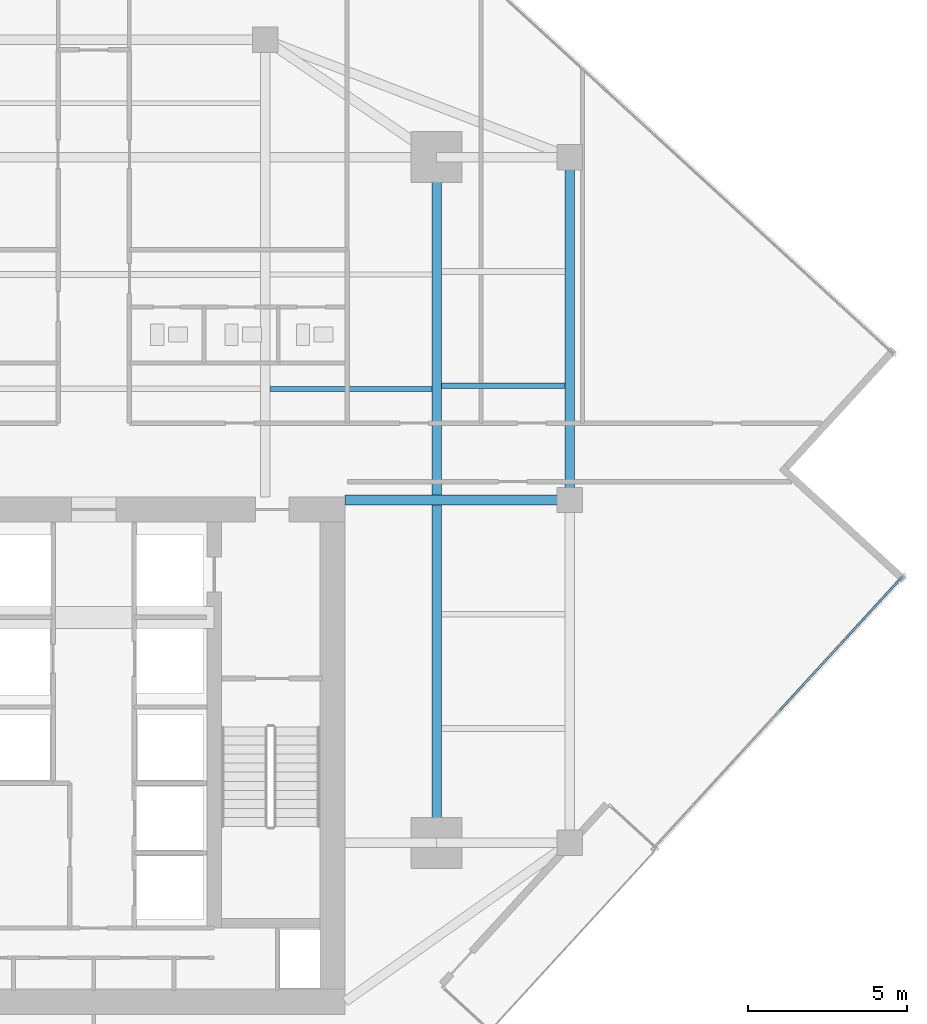
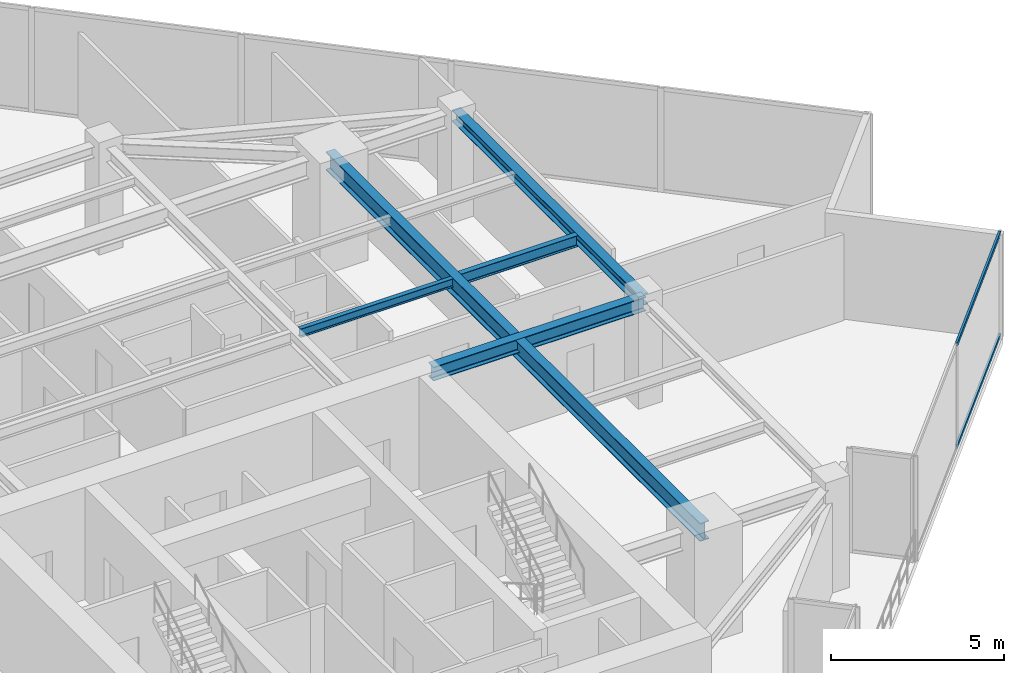
# One storey, part 12 of 26: 5 beams, 2 members, 1 element without a shape of its own.
"""IFC4 building model written with IfcOpenShell, lengths in metres."""

from ifc_helpers import new_model, si_unit, direction, frame, origin, origin_2d, place, context, subcontext, project, spatial, hollow_rectangle, i_section, extrude, source, transform, mapped, material, material_profile, profile_set, type_object, type_shapes, element, aggregate, save


model = new_model("IFC4")

# Units and contexts
model_context = context("Model", 3, precision=1e-05, world=origin(), true_north=direction((0.0, 1.0)))
body_context = subcontext(model_context, "Body", "Model", "MODEL_VIEW")
ifc_project = project(units=[si_unit("LENGTHUNIT", "METRE"), si_unit("AREAUNIT", "SQUARE_METRE"), si_unit("VOLUMEUNIT", "CUBIC_METRE"), si_unit("PLANEANGLEUNIT", "RADIAN"), si_unit("MASSUNIT", "GRAM", prefix="KILO")], contexts=[model_context])

# Site, building, storey
site_placement = place(None, origin())
site = spatial("IfcSite", under=ifc_project, at=site_placement, CompositionType="ELEMENT")
building_placement = place(site_placement, origin())
building = spatial("IfcBuilding", under=site, at=building_placement, Name="Krantzveldt Concourse Tower", CompositionType="ELEMENT")
storey_placement = place(building_placement, frame((0.0, 0.0, 223.10009765625)))
storey = spatial("IfcBuildingStorey", under=building, at=storey_placement, Name="L54", CompositionType="ELEMENT", Elevation=223.10009765625)

# Beams
ifc_material_1 = material(Name="Steel S355JR", Category="steel")
ifc_material_profile_1 = material_profile(ifc_material_1, i_section(OverallWidth=0.300048828125, OverallDepth=0.639892578125, WebThickness=0.013427734375, FlangeThickness=0.02587890625, FilletRadius=0.027099609375, at=origin_2d()), Name="Steel S355JR", Category="steel")
ifc_profile_set_1 = profile_set([ifc_material_profile_1], Name="Steel S355JR - HEA 650")
beam_type_1 = type_object("IfcBeamType", Name="BM-B-HEA650", PredefinedType="BEAM", material=ifc_profile_set_1)
shared_shape_1 = source(origin(), body_context, "Body", "SweptSolid", [
    extrude(i_section(OverallWidth=0.300048828125, OverallDepth=0.639892578125, WebThickness=0.013427734375, FlangeThickness=0.02587890625, FilletRadius=0.027099609375, at=origin_2d()), origin(), (0.0, 0.0, 1.0), 21.60009765625),
])
type_shapes(beam_type_1, [shared_shape_1])
beam_1_placement = place(storey_placement, frame((46.800048828125, 15.89990234375, 3.349853515625), z_axis=(0.0, 1.0, 0.0), x_axis=(-1.0, 0.0, 0.0)))
element("IfcBeam", 1, at=beam_1_placement, inside=storey, type_object=beam_type_1, Name="L54 Tower Girder BG-ME", PredefinedType="BEAM", context=body_context, shape_type="MappedRepresentation", body=[
    mapped(shared_shape_1, transform((0.0, 0.0, 0.0), x_axis=(1.0, 0.0, 0.0), y_axis=(0.0, 1.0, 0.0), z_axis=(0.0, 0.0, 1.0), scale=1.0)),
])
ifc_material_profile_2 = material_profile(ifc_material_1, i_section(OverallWidth=0.300048828125, OverallDepth=0.389892578125, WebThickness=0.010986328125, FlangeThickness=0.01904296875, FilletRadius=0.027099609375, at=origin_2d()), Name="Steel S355JR", Category="steel")
ifc_profile_set_2 = profile_set([ifc_material_profile_2], Name="Steel S355JR - HEA 400")
beam_type_2 = type_object("IfcBeamType", Name="BM-SP-HEA400", PredefinedType="SPANDREL", material=ifc_profile_set_2)
shared_shape_2 = source(origin(), body_context, "Body", "SweptSolid", [
    extrude(i_section(OverallWidth=0.300048828125, OverallDepth=0.389892578125, WebThickness=0.010986328125, FlangeThickness=0.01904296875, FilletRadius=0.027099609375, at=origin_2d()), origin(), (0.0, 0.0, 1.0), 10.800048828125),
])
type_shapes(beam_type_2, [shared_shape_2])
beam_2_placement = place(storey_placement, frame((51.0, 37.5, 3.474853515625), z_axis=(0.0, -1.0, 0.0), x_axis=(1.0, 0.0, 0.0)))
element("IfcBeam", 2, at=beam_2_placement, inside=storey, type_object=beam_type_2, Name="L54 Tower Girder SP-R06", PredefinedType="SPANDREL", context=body_context, shape_type="MappedRepresentation", body=[
    mapped(shared_shape_2, transform((0.0, 0.0, 0.0), x_axis=(1.0, 0.0, 0.0), y_axis=(0.0, 1.0, 0.0), z_axis=(0.0, 0.0, 1.0), scale=1.0)),
])
ifc_material_profile_3 = material_profile(ifc_material_1, i_section(OverallWidth=0.300048828125, OverallDepth=0.489990234375, WebThickness=0.011962890625, FlangeThickness=0.02294921875, FilletRadius=0.027099609375, at=origin_2d()), Name="Steel S355JR", Category="steel")
ifc_profile_set_3 = profile_set([ifc_material_profile_3], Name="Steel S355JR - HEA 500")
beam_type_3 = type_object("IfcBeamType", Name="BM-B-HEA500", PredefinedType="BEAM", material=ifc_profile_set_3)
shared_shape_3 = source(origin(), body_context, "Body", "SweptSolid", [
    extrude(i_section(OverallWidth=0.300048828125, OverallDepth=0.489990234375, WebThickness=0.011962890625, FlangeThickness=0.02294921875, FilletRadius=0.027099609375, at=origin_2d()), origin(), (0.0, 0.0, 1.0), 7.080078125),
])
type_shapes(beam_type_3, [shared_shape_3])
beam_3_placement = place(storey_placement, frame((43.919921875, 26.699951171875, 3.4248046875), z_axis=(1.0, 0.0, 0.0), x_axis=(0.0, 1.0, 0.0)))
element("IfcBeam", 3, at=beam_3_placement, inside=storey, type_object=beam_type_3, Name="L54 Tower Girder BG-CE2", PredefinedType="BEAM", context=body_context, shape_type="MappedRepresentation", body=[
    mapped(shared_shape_3, transform((0.0, 0.0, 0.0), x_axis=(1.0, 0.0, 0.0), y_axis=(0.0, 1.0, 0.0), z_axis=(0.0, 0.0, 1.0), scale=1.0)),
])
ifc_material_profile_4 = material_profile(ifc_material_1, i_section(OverallWidth=0.14990234375, OverallDepth=0.300048828125, WebThickness=0.007080078125, FlangeThickness=0.0107421875, FilletRadius=0.014892578125, at=origin_2d()), Name="Steel S355JR", Category="steel")
ifc_profile_set_4 = profile_set([ifc_material_profile_4], Name="Steel S355JR - IPE 300")
beam_type_4 = type_object("IfcBeamType", Name="BM-J-IPE300", PredefinedType="JOIST", material=ifc_profile_set_4)
shared_shape_4 = source(origin(), body_context, "Body", "SweptSolid", [
    extrude(i_section(OverallWidth=0.14990234375, OverallDepth=0.300048828125, WebThickness=0.007080078125, FlangeThickness=0.0107421875, FilletRadius=0.014892578125, at=origin_2d()), origin(), (0.0, 0.0, 1.0), 5.099853515625),
])
type_shapes(beam_type_4, [shared_shape_4])
beam_4_placement = place(storey_placement, frame((41.550048828125, 30.199951171875, 3.52001953125), z_axis=(1.0, 0.0, 0.0), x_axis=(0.0, 1.0, 0.0)))
element("IfcBeam", 4, at=beam_4_placement, inside=storey, type_object=beam_type_4, Name="L54 Secondary Floor Joist JN-E1", PredefinedType="JOIST", context=body_context, shape_type="MappedRepresentation", body=[
    mapped(shared_shape_4, transform((0.0, 0.0, 0.0), x_axis=(1.0, 0.0, 0.0), y_axis=(0.0, 1.0, 0.0), z_axis=(0.0, 0.0, 1.0), scale=1.0)),
])
ifc_material_profile_5 = material_profile(ifc_material_1, i_section(OverallWidth=0.179931640625, OverallDepth=0.39990234375, WebThickness=0.008544921875, FlangeThickness=0.013427734375, FilletRadius=0.02099609375, at=origin_2d()), Name="Steel S355JR", Category="steel")
ifc_profile_set_5 = profile_set([ifc_material_profile_5], Name="Steel S355JR - IPE 400")
beam_type_5 = type_object("IfcBeamType", Name="BM-J-IPE400", PredefinedType="JOIST", material=ifc_profile_set_5)
shared_shape_5 = source(origin(), body_context, "Body", "SweptSolid", [
    extrude(i_section(OverallWidth=0.179931640625, OverallDepth=0.39990234375, WebThickness=0.008544921875, FlangeThickness=0.013427734375, FilletRadius=0.02099609375, at=origin_2d()), origin(), (0.0, 0.0, 1.0), 3.900146484375),
])
type_shapes(beam_type_5, [shared_shape_5])
beam_5_placement = place(storey_placement, frame((46.949951171875, 30.300048828125, 3.469970703125), z_axis=(1.0, 0.0, 0.0), x_axis=(0.0, 1.0, 0.0)))
element("IfcBeam", 5, at=beam_5_placement, inside=storey, type_object=beam_type_5, Name="L54 Secondary Floor Joist JE-3", PredefinedType="JOIST", context=body_context, shape_type="MappedRepresentation", body=[
    mapped(shared_shape_5, transform((0.0, 0.0, 0.0), x_axis=(1.0, 0.0, 0.0), y_axis=(0.0, 1.0, 0.0), z_axis=(0.0, 0.0, 1.0), scale=1.0)),
])

# Curtain wall, members
ifc_material_2 = material(Name="Anodised aluminium 6063-T6", Category="aluminium")
curtain_wall_type = type_object("IfcCurtainWallType", Name="CW3", PredefinedType="USERDEFINED", material=ifc_material_2)
curtain_wall_placement = place(storey_placement, origin())
curtain_wall = element("IfcCurtainWall", 6, at=curtain_wall_placement, inside=storey, type_object=curtain_wall_type, Name="CW-L54-F11", ObjectType="UNITISED CURTAIN WALL", PredefinedType="USERDEFINED")
ifc_material_profile_6 = material_profile(ifc_material_2, hollow_rectangle(XDim=0.070068359375, YDim=0.139892578125, WallThickness=0.0048828125, at=origin_2d()), Name="Anodised aluminium 6063-T6", Category="aluminium")
ifc_profile_set_6 = profile_set([ifc_material_profile_6], Name="Anodised aluminium 6063-T6 - ALU-TRAN 140x70x5")
member_type = type_object("IfcMemberType", Name="CW-TRN-150", PredefinedType="USERDEFINED", material=ifc_profile_set_6)
shared_shape_6 = source(origin(), body_context, "Body", "SweptSolid", [
    extrude(hollow_rectangle(XDim=0.070068359375, YDim=0.139892578125, WallThickness=0.0048828125, at=origin_2d()), origin(), (0.0, 0.0, 1.0), 5.7451171875),
])
type_shapes(member_type, [shared_shape_6])
member_1_placement = place(storey_placement, frame((57.5908203125, 20.0517578125, 0.034912109375), z_axis=(0.675603385152, 0.737265261606, 0.0), x_axis=(-0.737265261606, 0.675603385152, 0.0)))
member_1 = element("IfcMember", 7, at=member_1_placement, type_object=member_type, Name="CW-Z34 transom 2.1", ObjectType="TRANSOM", PredefinedType="USERDEFINED", context=body_context, shape_type="MappedRepresentation", body=[
    mapped(shared_shape_6, transform((0.0, 0.0, 0.0), x_axis=(1.0, 0.0, 0.0), y_axis=(0.0, 1.0, 0.0), z_axis=(0.0, 0.0, 1.0), scale=1.0)),
])
member_2_placement = place(storey_placement, frame((57.5908203125, 20.0517578125, 3.635009765625), z_axis=(0.675603385152, 0.737265261606, 0.0), x_axis=(-0.737265261606, 0.675603385152, 0.0)))
member_2 = element("IfcMember", 8, at=member_2_placement, type_object=member_type, Name="CW-Z34 transom 2.2", ObjectType="TRANSOM", PredefinedType="USERDEFINED", context=body_context, shape_type="MappedRepresentation", body=[
    mapped(shared_shape_6, transform((0.0, 0.0, 0.0), x_axis=(1.0, 0.0, 0.0), y_axis=(0.0, 1.0, 0.0), z_axis=(0.0, 0.0, 1.0), scale=1.0)),
])
aggregate(curtain_wall, [member_1, member_2])

save(model, "model.ifc")
